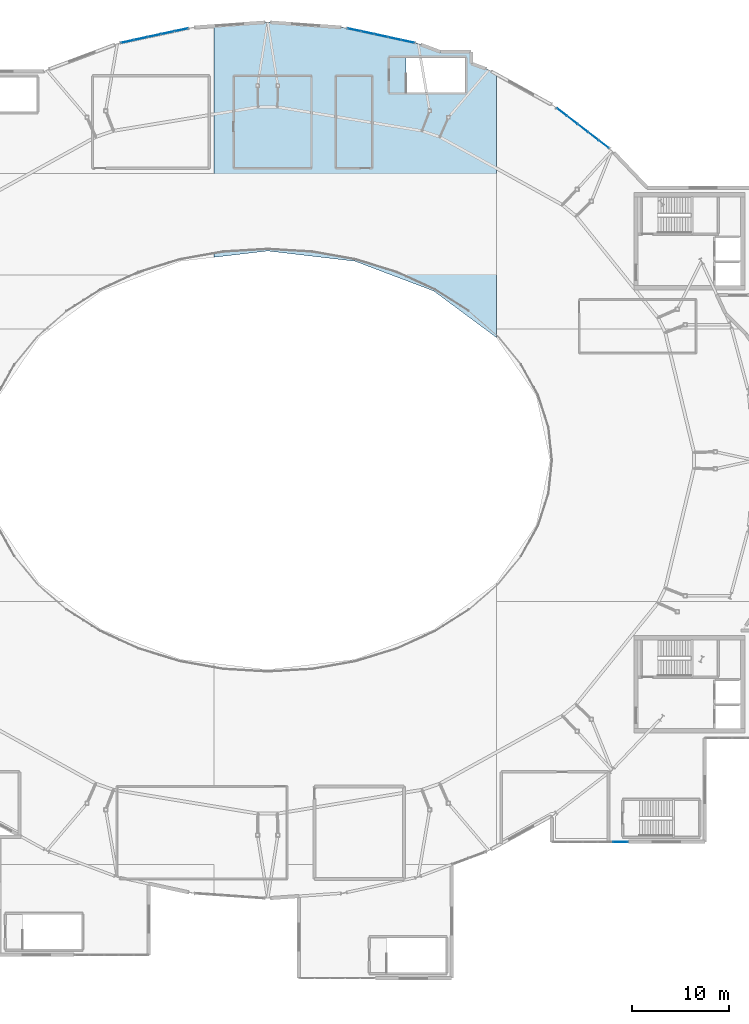
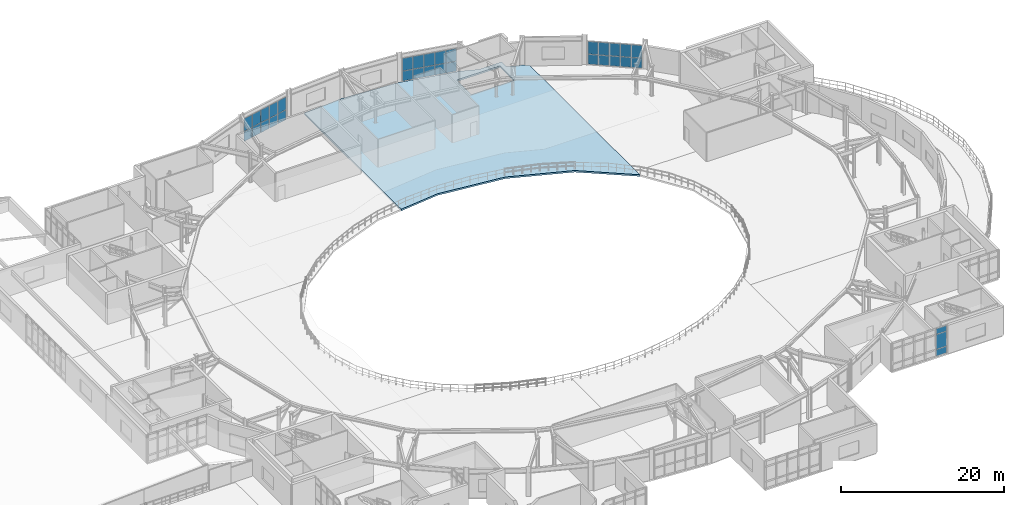
# One storey, part 34 of 48: 33 plates, 1 slab, 4 elements without a shape of their own.
"""IFC4 building model written with IfcOpenShell, lengths in metres."""

import ifcopenshell
import ifcopenshell.guid

model = None  # the IFC model being written
_history = None  # IfcOwnerHistory: only IFC2X3 demands one
_inside = {}  # id of a spatial element -> (the spatial element, [elements in it])
_under = {}  # id of a project, library or spatial element -> (it, [spatial elements below it])
_declared = {}  # id of a project -> (the project, [libraries it declares])
_typed = {}  # id of a type object -> (the type object, [elements of that type])
_made_of = {}  # id of a material, layer set ... -> (it, [elements and type objects made of it])


def new_model(schema):
    """Start an empty IFC model of exactly this schema.

    Asked for "IFC4X3", IfcOpenShell would pick the latest addendum, in which some entities
    have other attributes; the version numbers below select the first issue.
    IFC2X3 requires an IfcOwnerHistory on every rooted entity: one is made here for all.
    """
    global model, _history
    if schema == "IFC4X3":
        model = ifcopenshell.file(schema_version=(4, 3, 0, 0))
    else:
        model = ifcopenshell.file(schema=schema)
    _inside.clear()
    _under.clear()
    _declared.clear()
    _typed.clear()
    _made_of.clear()
    _history = None
    if model.schema == "IFC2X3":
        org = make("IfcOrganization", Name="unknown")
        user = make(
            "IfcPersonAndOrganization",
            ThePerson=make("IfcPerson", FamilyName="unknown"),
            TheOrganization=org,
        )
        app = make(
            "IfcApplication",
            ApplicationDeveloper=org,
            Version="unknown",
            ApplicationFullName="unknown",
            ApplicationIdentifier="unknown",
        )
        _history = make(
            "IfcOwnerHistory",
            OwningUser=user,
            OwningApplication=app,
            ChangeAction="ADDED",
            CreationDate=0,
        )
    return model


def make(cls, **values):
    """One entity of the class cls with the attributes given. An attribute that is None is left unset."""
    return model.create_entity(
        cls, **{name: value for name, value in values.items() if value is not None}
    )


def rooted(cls, **values):
    """An entity with a GlobalId (a new one), such as an element, a storey or a relation."""
    return make(cls, GlobalId=ifcopenshell.guid.new(), OwnerHistory=_history, **values)


def si_unit(unit_type, name, prefix=None):
    """IfcSIUnit, for example si_unit("LENGTHUNIT", "METRE", prefix="MILLI")."""
    return make("IfcSIUnit", UnitType=unit_type, Prefix=prefix, Name=name)


def assignment(units):
    """IfcUnitAssignment: the units of a project."""
    return None if units is None else make("IfcUnitAssignment", Units=units)


def point(xyz):
    """IfcCartesianPoint."""
    return None if xyz is None else make("IfcCartesianPoint", Coordinates=xyz)


def direction(xyz):
    """IfcDirection."""
    return None if xyz is None else make("IfcDirection", DirectionRatios=xyz)


def frame(location, z_axis=None, x_axis=None):
    """IfcAxis2Placement3D, a coordinate frame: its origin and axes. An axis left out is left unset."""
    return make(
        "IfcAxis2Placement3D",
        Location=point(location),
        Axis=direction(z_axis),
        RefDirection=direction(x_axis),
    )


def frame_2d(location, x_axis=None):
    """IfcAxis2Placement2D, a coordinate frame in the plane: its origin and x axis."""
    return make(
        "IfcAxis2Placement2D", Location=point(location), RefDirection=direction(x_axis)
    )


def origin():
    """The frame at (0, 0, 0) with its axes left unset."""
    return frame((0.0, 0.0, 0.0))


def origin_2d():
    """The frame at (0, 0) in the plane with its x axis left unset."""
    return frame_2d((0.0, 0.0))


def place(relative_to, where):
    """IfcLocalPlacement: puts the frame where relative to a parent placement (None: the world)."""
    return make(
        "IfcLocalPlacement", PlacementRelTo=relative_to, RelativePlacement=where
    )


def context(
    kind, dimensions, precision=None, world=None, true_north=None, identifier=None
):
    """IfcGeometricRepresentationContext, for example the 3D "Model" context."""
    return make(
        "IfcGeometricRepresentationContext",
        ContextIdentifier=identifier,
        ContextType=kind,
        CoordinateSpaceDimension=dimensions,
        Precision=precision,
        WorldCoordinateSystem=world,
        TrueNorth=true_north,
    )


def subcontext(parent, identifier, kind, view, scale=None):
    """IfcGeometricRepresentationSubContext, for example "Body" below "Model"."""
    return make(
        "IfcGeometricRepresentationSubContext",
        ContextIdentifier=identifier,
        ContextType=kind,
        ParentContext=parent,
        TargetScale=scale,
        TargetView=view,
    )


def project(units=None, contexts=None):
    """IfcProject with its units and contexts."""
    return rooted(
        "IfcProject",
        Name="project",
        RepresentationContexts=contexts,
        UnitsInContext=assignment(units),
    )


def spatial(cls, under=None, at=None, **own):
    """A site, building, storey or space (cls), placed at a placement, below another one or the project."""
    s = rooted(cls, ObjectPlacement=at, **own)
    if under is not None:
        _under.setdefault(under.id(), (under, []))[1].append(s)
    return s


def polyline(points):
    """IfcPolyline through the points."""
    return make("IfcPolyline", Points=[point(p) for p in points])


def profile(cls, at=None, kind="AREA", **sizes):
    """A parametric profile (cls). Its sizes go by their IFC names, for example OverallWidth=200.0."""
    return make(cls, ProfileType=kind, Position=at, **sizes)


def rectangle(**sizes):
    """IfcRectangleProfileDef."""
    return profile("IfcRectangleProfileDef", **sizes)


def outline(outer, holes=None, kind="AREA"):
    """IfcArbitraryClosedProfileDef: a profile drawn as a closed curve; with holes, ...WithVoids."""
    if holes is None:
        return make("IfcArbitraryClosedProfileDef", ProfileType=kind, OuterCurve=outer)
    return make(
        "IfcArbitraryProfileDefWithVoids",
        ProfileType=kind,
        OuterCurve=outer,
        InnerCurves=holes,
    )


def extrude(swept, where, along, depth):
    """IfcExtrudedAreaSolid: the profile swept, set in the frame where, extruded along a direction by depth."""
    return make(
        "IfcExtrudedAreaSolid",
        SweptArea=swept,
        Position=where,
        ExtrudedDirection=direction(along),
        Depth=depth,
    )


def shape(context_of_items, identifier, shape_type, items):
    """IfcShapeRepresentation: the items that make up one representation, for example the "Body"."""
    return make(
        "IfcShapeRepresentation",
        ContextOfItems=context_of_items,
        RepresentationIdentifier=identifier,
        RepresentationType=shape_type,
        Items=items,
    )


def material(Name=None, Category=None):
    """IfcMaterial."""
    return make("IfcMaterial", Name=Name, Category=Category)


def layer(
    of_material, thickness, ventilated=None, Name=None, Category=None, Priority=None
):
    """IfcMaterialLayer: one layer of a wall or slab, of a material (None: an air gap)."""
    return make(
        "IfcMaterialLayer",
        Material=of_material,
        LayerThickness=thickness,
        IsVentilated=ventilated,
        Name=Name,
        Category=Category,
        Priority=Priority,
    )


def layer_set(layers, Name=None):
    """IfcMaterialLayerSet."""
    return make("IfcMaterialLayerSet", MaterialLayers=layers, LayerSetName=Name)


def made_of(thing, what):
    """Note that an element or type object is made of a material, layer set ...; save() writes the relation."""
    if what is not None:
        _made_of.setdefault(what.id(), (what, []))[1].append(thing)
    return thing


def type_object(cls, material=None, **own):
    """A type object (cls), such as IfcWallType, which elements share."""
    return made_of(rooted(cls, **own), material)


def element(
    cls,
    number,
    at=None,
    inside=None,
    cuts=None,
    type_object=None,
    material=None,
    context=None,
    identifier="Body",
    shape_type=None,
    held_by="IfcProductDefinitionShape",
    body=None,
    shapes=None,
    **own,
):
    """One element of the class cls, such as IfcWall. Its Tag is "e" and its number.

    at: its placement. inside: the storey or other place that contains it. cuts: it is an
    opening in that element (IfcRelVoidsElement). A single representation is given by context,
    identifier, shape_type and body (its items); several are given by shapes. held_by: the class
    of the entity that holds the representations. save() writes the other relations.
    """
    e = rooted(cls, Tag="e%d" % number, ObjectPlacement=at, **own)
    if body is not None:
        shapes = [shape(context, identifier, shape_type, body)]
    if shapes is not None:
        e.Representation = make(held_by, Representations=shapes)
    if inside is not None:
        _inside.setdefault(inside.id(), (inside, []))[1].append(e)
    if cuts is not None:
        rooted(
            "IfcRelVoidsElement", RelatingBuildingElement=cuts, RelatedOpeningElement=e
        )
    if type_object is not None:
        _typed.setdefault(type_object.id(), (type_object, []))[1].append(e)
    return made_of(e, material)


def aggregate(whole, parts):
    """IfcRelAggregates: a whole, such as a stair, and the parts it consists of."""
    return rooted("IfcRelAggregates", RelatingObject=whole, RelatedObjects=parts)


def save(model, path):
    """Write the relations noted so far, then the file.

    IfcRelAggregates (storeys below a building ...), IfcRelContainedInSpatialStructure (elements
    in a storey), IfcRelDefinesByType, IfcRelAssociatesMaterial and IfcRelDeclares: one each for
    every whole, place, type object, material and project.
    """
    for whole, parts in _under.values():
        aggregate(whole, parts)
    for where, things in _inside.values():
        rooted(
            "IfcRelContainedInSpatialStructure",
            RelatedElements=things,
            RelatingStructure=where,
        )
    for kind, things in _typed.values():
        rooted("IfcRelDefinesByType", RelatedObjects=things, RelatingType=kind)
    for what, things in _made_of.values():
        rooted("IfcRelAssociatesMaterial", RelatedObjects=things, RelatingMaterial=what)
    for by, libraries in _declared.values():
        rooted("IfcRelDeclares", RelatingContext=by, RelatedDefinitions=libraries)
    model.write(path)


model = new_model("IFC4")

# Units and contexts
model_context = context("Model", 3, precision=1e-05, world=origin(), true_north=direction((0.0, 1.0)))
body_context = subcontext(model_context, "Body", "Model", "MODEL_VIEW")
ifc_project = project(units=[si_unit("LENGTHUNIT", "METRE"), si_unit("AREAUNIT", "SQUARE_METRE"), si_unit("VOLUMEUNIT", "CUBIC_METRE"), si_unit("PLANEANGLEUNIT", "RADIAN"), si_unit("MASSUNIT", "GRAM", prefix="KILO")], contexts=[model_context])

# Site, building, storey
site_placement = place(None, origin())
site = spatial("IfcSite", under=ifc_project, at=site_placement, CompositionType="ELEMENT")
building_placement = place(site_placement, origin())
building = spatial("IfcBuilding", under=site, at=building_placement, Name="Glasvene Arena", CompositionType="ELEMENT")
storey_placement = place(building_placement, frame((0.0, 0.0, 19.5)))
storey = spatial("IfcBuildingStorey", under=building, at=storey_placement, Name="L04", CompositionType="ELEMENT", Elevation=19.5)

# Curtain wall, plates
ifc_material_1 = material(Name="Low-emissivity laminated double glazing", Category="glass")
curtain_wall_type_1 = type_object("IfcCurtainWallType", Name="CW-FAC-L04-707x350", PredefinedType="USERDEFINED", material=ifc_material_1)
curtain_wall_1_placement = place(storey_placement, frame((76.910888671875, 115.87548828125, 0.0)))
curtain_wall_1 = element("IfcCurtainWall", 1, at=curtain_wall_1_placement, inside=storey, type_object=curtain_wall_type_1, Name="Unitised curtain wall CW-F-L04-150-804-1166-22", ObjectType="CURTAIN WALL", PredefinedType="USERDEFINED")
ifc_layer_1 = layer(ifc_material_1, 0.028076171875)
ifc_layer_set_1 = layer_set([ifc_layer_1], Name="Low-emissivity laminated double glazing")
plate_type = type_object("IfcPlateType", Name="CW-GLZ-28", PredefinedType="CURTAIN_PANEL", material=ifc_layer_set_1)
plate_1_placement = place(storey_placement, frame((77.61376953125, 116.027587890625, 0.10986328125), z_axis=(0.0, 0.0, 1.0), x_axis=(0.977438407668, 0.211220641072, 0.0)))
plate_1 = element("IfcPlate", 2, at=plate_1_placement, type_object=plate_type, Name="CW-049 panel 1.1", PredefinedType="CURTAIN_PANEL", context=body_context, shape_type="SweptSolid", body=[
    extrude(rectangle(XDim=1.338623046875, YDim=0.028076171875, at=origin_2d()), origin(), (0.0, 0.0, 1.0), 1.468017578125),
])
plate_2_placement = place(storey_placement, frame((77.61376953125, 116.027587890625, 1.6279296875), z_axis=(0.0, 0.0, 1.0), x_axis=(0.977438407668, 0.211220641072, 0.0)))
plate_2 = element("IfcPlate", 3, at=plate_2_placement, type_object=plate_type, Name="CW-049 panel 1.2", PredefinedType="CURTAIN_PANEL", context=body_context, shape_type="SweptSolid", body=[
    extrude(rectangle(XDim=1.338623046875, YDim=0.028076171875, at=origin_2d()), origin(), (0.0, 0.0, 1.0), 1.884033203125),
])
plate_3_placement = place(storey_placement, frame((78.9833984375, 116.323486328125, 0.10986328125), z_axis=(0.0, 0.0, 1.0), x_axis=(0.977438407668, 0.211220641072, 0.0)))
plate_3 = element("IfcPlate", 4, at=plate_3_placement, type_object=plate_type, Name="CW-049 panel 2.1", PredefinedType="CURTAIN_PANEL", context=body_context, shape_type="SweptSolid", body=[
    extrude(rectangle(XDim=1.363525390625, YDim=0.028076171875, at=origin_2d()), origin(), (0.0, 0.0, 1.0), 1.468017578125),
])
plate_4_placement = place(storey_placement, frame((78.9833984375, 116.323486328125, 1.6279296875), z_axis=(0.0, 0.0, 1.0), x_axis=(0.977438407668, 0.211220641072, 0.0)))
plate_4 = element("IfcPlate", 5, at=plate_4_placement, type_object=plate_type, Name="CW-049 panel 2.2", PredefinedType="CURTAIN_PANEL", context=body_context, shape_type="SweptSolid", body=[
    extrude(rectangle(XDim=1.363525390625, YDim=0.028076171875, at=origin_2d()), origin(), (0.0, 0.0, 1.0), 1.884033203125),
])
plate_5_placement = place(storey_placement, frame((80.364990234375, 116.6220703125, 0.10986328125), z_axis=(0.0, 0.0, 1.0), x_axis=(0.977438407668, 0.211220641072, 0.0)))
plate_5 = element("IfcPlate", 6, at=plate_5_placement, type_object=plate_type, Name="CW-049 panel 3.1", PredefinedType="CURTAIN_PANEL", context=body_context, shape_type="SweptSolid", body=[
    extrude(rectangle(XDim=1.363525390625, YDim=0.028076171875, at=origin_2d()), origin(), (0.0, 0.0, 1.0), 1.468017578125),
])
plate_6_placement = place(storey_placement, frame((80.364990234375, 116.6220703125, 1.6279296875), z_axis=(0.0, 0.0, 1.0), x_axis=(0.977438407668, 0.211220641072, 0.0)))
plate_6 = element("IfcPlate", 7, at=plate_6_placement, type_object=plate_type, Name="CW-049 panel 3.2", PredefinedType="CURTAIN_PANEL", context=body_context, shape_type="SweptSolid", body=[
    extrude(rectangle(XDim=1.363525390625, YDim=0.028076171875, at=origin_2d()), origin(), (0.0, 0.0, 1.0), 1.884033203125),
])
plate_7_placement = place(storey_placement, frame((81.746826171875, 116.920654296875, 0.10986328125), z_axis=(0.0, 0.0, 1.0), x_axis=(0.977438407668, 0.211220641072, 0.0)))
plate_7 = element("IfcPlate", 8, at=plate_7_placement, type_object=plate_type, Name="CW-049 panel 4.1", PredefinedType="CURTAIN_PANEL", context=body_context, shape_type="SweptSolid", body=[
    extrude(rectangle(XDim=1.363525390625, YDim=0.028076171875, at=origin_2d()), origin(), (0.0, 0.0, 1.0), 1.468017578125),
])
plate_8_placement = place(storey_placement, frame((81.746826171875, 116.920654296875, 1.6279296875), z_axis=(0.0, 0.0, 1.0), x_axis=(0.977438407668, 0.211220641072, 0.0)))
plate_8 = element("IfcPlate", 9, at=plate_8_placement, type_object=plate_type, Name="CW-049 panel 4.2", PredefinedType="CURTAIN_PANEL", context=body_context, shape_type="SweptSolid", body=[
    extrude(rectangle(XDim=1.363525390625, YDim=0.028076171875, at=origin_2d()), origin(), (0.0, 0.0, 1.0), 1.884033203125),
])
plate_9_placement = place(storey_placement, frame((83.1162109375, 117.216552734375, 0.10986328125), z_axis=(0.0, 0.0, 1.0), x_axis=(0.977438407668, 0.211220641072, 0.0)))
plate_9 = element("IfcPlate", 10, at=plate_9_placement, type_object=plate_type, Name="CW-049 panel 5.1", PredefinedType="CURTAIN_PANEL", context=body_context, shape_type="SweptSolid", body=[
    extrude(rectangle(XDim=1.338623046875, YDim=0.028076171875, at=origin_2d()), origin(), (0.0, 0.0, 1.0), 1.468017578125),
])
plate_10_placement = place(storey_placement, frame((83.1162109375, 117.216552734375, 1.6279296875), z_axis=(0.0, 0.0, 1.0), x_axis=(0.977438407668, 0.211220641072, 0.0)))
plate_10 = element("IfcPlate", 11, at=plate_10_placement, type_object=plate_type, Name="CW-049 panel 5.2", PredefinedType="CURTAIN_PANEL", context=body_context, shape_type="SweptSolid", body=[
    extrude(rectangle(XDim=1.338623046875, YDim=0.028076171875, at=origin_2d()), origin(), (0.0, 0.0, 1.0), 1.884033203125),
])
aggregate(curtain_wall_1, [plate_1, plate_2, plate_3, plate_4, plate_5, plate_6, plate_7, plate_8, plate_9, plate_10])

curtain_wall_2_placement = place(storey_placement, frame((100.1806640625, 117.368408203125, 0.0)))
curtain_wall_2 = element("IfcCurtainWall", 12, at=curtain_wall_2_placement, inside=storey, type_object=curtain_wall_type_1, Name="Unitised curtain wall CW-F-L04-150-1036-1166-25", ObjectType="CURTAIN WALL", PredefinedType="USERDEFINED")
plate_11_placement = place(storey_placement, frame((100.8837890625, 117.216552734375, 0.10986328125), z_axis=(0.0, 0.0, 1.0), x_axis=(0.977438407668, -0.211220641072, 0.0)))
plate_11 = element("IfcPlate", 13, at=plate_11_placement, type_object=plate_type, Name="CW-049 panel 1.1", PredefinedType="CURTAIN_PANEL", context=body_context, shape_type="SweptSolid", body=[
    extrude(rectangle(XDim=1.338623046875, YDim=0.028076171875, at=origin_2d()), origin(), (0.0, 0.0, 1.0), 1.468017578125),
])
plate_12_placement = place(storey_placement, frame((100.8837890625, 117.216552734375, 1.6279296875), z_axis=(0.0, 0.0, 1.0), x_axis=(0.977438407668, -0.211220641072, 0.0)))
plate_12 = element("IfcPlate", 14, at=plate_12_placement, type_object=plate_type, Name="CW-049 panel 1.2", PredefinedType="CURTAIN_PANEL", context=body_context, shape_type="SweptSolid", body=[
    extrude(rectangle(XDim=1.338623046875, YDim=0.028076171875, at=origin_2d()), origin(), (0.0, 0.0, 1.0), 1.884033203125),
])
plate_13_placement = place(storey_placement, frame((102.253173828125, 116.920654296875, 0.10986328125), z_axis=(0.0, 0.0, 1.0), x_axis=(0.977438407668, -0.211220641072, 0.0)))
plate_13 = element("IfcPlate", 15, at=plate_13_placement, type_object=plate_type, Name="CW-049 panel 2.1", PredefinedType="CURTAIN_PANEL", context=body_context, shape_type="SweptSolid", body=[
    extrude(rectangle(XDim=1.363525390625, YDim=0.028076171875, at=origin_2d()), origin(), (0.0, 0.0, 1.0), 1.468017578125),
])
plate_14_placement = place(storey_placement, frame((102.253173828125, 116.920654296875, 1.6279296875), z_axis=(0.0, 0.0, 1.0), x_axis=(0.977438407668, -0.211220641072, 0.0)))
plate_14 = element("IfcPlate", 16, at=plate_14_placement, type_object=plate_type, Name="CW-049 panel 2.2", PredefinedType="CURTAIN_PANEL", context=body_context, shape_type="SweptSolid", body=[
    extrude(rectangle(XDim=1.363525390625, YDim=0.028076171875, at=origin_2d()), origin(), (0.0, 0.0, 1.0), 1.884033203125),
])
plate_15_placement = place(storey_placement, frame((103.635009765625, 116.6220703125, 0.10986328125), z_axis=(0.0, 0.0, 1.0), x_axis=(0.977438407668, -0.211220641072, 0.0)))
plate_15 = element("IfcPlate", 17, at=plate_15_placement, type_object=plate_type, Name="CW-049 panel 3.1", PredefinedType="CURTAIN_PANEL", context=body_context, shape_type="SweptSolid", body=[
    extrude(rectangle(XDim=1.363525390625, YDim=0.028076171875, at=origin_2d()), origin(), (0.0, 0.0, 1.0), 1.468017578125),
])
plate_16_placement = place(storey_placement, frame((103.635009765625, 116.6220703125, 1.6279296875), z_axis=(0.0, 0.0, 1.0), x_axis=(0.977438407668, -0.211220641072, 0.0)))
plate_16 = element("IfcPlate", 18, at=plate_16_placement, type_object=plate_type, Name="CW-049 panel 3.2", PredefinedType="CURTAIN_PANEL", context=body_context, shape_type="SweptSolid", body=[
    extrude(rectangle(XDim=1.363525390625, YDim=0.028076171875, at=origin_2d()), origin(), (0.0, 0.0, 1.0), 1.884033203125),
])
plate_17_placement = place(storey_placement, frame((105.0166015625, 116.323486328125, 0.10986328125), z_axis=(0.0, 0.0, 1.0), x_axis=(0.977438407668, -0.211220641072, 0.0)))
plate_17 = element("IfcPlate", 19, at=plate_17_placement, type_object=plate_type, Name="CW-049 panel 4.1", PredefinedType="CURTAIN_PANEL", context=body_context, shape_type="SweptSolid", body=[
    extrude(rectangle(XDim=1.363525390625, YDim=0.028076171875, at=origin_2d()), origin(), (0.0, 0.0, 1.0), 1.468017578125),
])
plate_18_placement = place(storey_placement, frame((105.0166015625, 116.323486328125, 1.6279296875), z_axis=(0.0, 0.0, 1.0), x_axis=(0.977438407668, -0.211220641072, 0.0)))
plate_18 = element("IfcPlate", 20, at=plate_18_placement, type_object=plate_type, Name="CW-049 panel 4.2", PredefinedType="CURTAIN_PANEL", context=body_context, shape_type="SweptSolid", body=[
    extrude(rectangle(XDim=1.363525390625, YDim=0.028076171875, at=origin_2d()), origin(), (0.0, 0.0, 1.0), 1.884033203125),
])
plate_19_placement = place(storey_placement, frame((106.38623046875, 116.027587890625, 0.10986328125), z_axis=(0.0, 0.0, 1.0), x_axis=(0.977438407668, -0.211220641072, 0.0)))
plate_19 = element("IfcPlate", 21, at=plate_19_placement, type_object=plate_type, Name="CW-049 panel 5.1", PredefinedType="CURTAIN_PANEL", context=body_context, shape_type="SweptSolid", body=[
    extrude(rectangle(XDim=1.338623046875, YDim=0.028076171875, at=origin_2d()), origin(), (0.0, 0.0, 1.0), 1.468017578125),
])
plate_20_placement = place(storey_placement, frame((106.38623046875, 116.027587890625, 1.6279296875), z_axis=(0.0, 0.0, 1.0), x_axis=(0.977438407668, -0.211220641072, 0.0)))
plate_20 = element("IfcPlate", 22, at=plate_20_placement, type_object=plate_type, Name="CW-049 panel 5.2", PredefinedType="CURTAIN_PANEL", context=body_context, shape_type="SweptSolid", body=[
    extrude(rectangle(XDim=1.338623046875, YDim=0.028076171875, at=origin_2d()), origin(), (0.0, 0.0, 1.0), 1.884033203125),
])
aggregate(curtain_wall_2, [plate_11, plate_12, plate_13, plate_14, plate_15, plate_16, plate_17, plate_18, plate_19, plate_20])

curtain_wall_type_2 = type_object("IfcCurtainWallType", Name="CW-FAC-L04-679x350", PredefinedType="USERDEFINED", material=ifc_material_1)
curtain_wall_3_placement = place(storey_placement, frame((121.680419921875, 109.18212890625, 0.0)))
curtain_wall_3 = element("IfcCurtainWall", 23, at=curtain_wall_3_placement, inside=storey, type_object=curtain_wall_type_2, Name="Unitised curtain wall CW-F-L04-150-1244-1071-31", ObjectType="CURTAIN WALL", PredefinedType="USERDEFINED")
plate_21_placement = place(storey_placement, frame((122.228271484375, 108.760986328125, 0.10986328125), z_axis=(0.0, 0.0, 1.0), x_axis=(0.792839799008, -0.609430105187, 0.0)))
plate_21 = element("IfcPlate", 24, at=plate_21_placement, type_object=plate_type, Name="CW-050 panel 1.1", PredefinedType="CURTAIN_PANEL", context=body_context, shape_type="SweptSolid", body=[
    extrude(rectangle(XDim=1.281982421875, YDim=0.028076171875, at=origin_2d()), origin(), (0.0, 0.0, 1.0), 1.468017578125),
])
plate_22_placement = place(storey_placement, frame((122.228271484375, 108.760986328125, 1.6279296875), z_axis=(0.0, 0.0, 1.0), x_axis=(0.792839799008, -0.609430105187, 0.0)))
plate_22 = element("IfcPlate", 25, at=plate_22_placement, type_object=plate_type, Name="CW-050 panel 1.2", PredefinedType="CURTAIN_PANEL", context=body_context, shape_type="SweptSolid", body=[
    extrude(rectangle(XDim=1.281982421875, YDim=0.028076171875, at=origin_2d()), origin(), (0.0, 0.0, 1.0), 1.884033203125),
])
plate_23_placement = place(storey_placement, frame((123.294189453125, 107.941650390625, 0.10986328125), z_axis=(0.0, 0.0, 1.0), x_axis=(0.792839799008, -0.609430105187, 0.0)))
plate_23 = element("IfcPlate", 26, at=plate_23_placement, type_object=plate_type, Name="CW-050 panel 2.1", PredefinedType="CURTAIN_PANEL", context=body_context, shape_type="SweptSolid", body=[
    extrude(rectangle(XDim=1.30712890625, YDim=0.028076171875, at=origin_2d()), origin(), (0.0, 0.0, 1.0), 1.468017578125),
])
plate_24_placement = place(storey_placement, frame((123.294189453125, 107.941650390625, 1.6279296875), z_axis=(0.0, 0.0, 1.0), x_axis=(0.792839799008, -0.609430105187, 0.0)))
plate_24 = element("IfcPlate", 27, at=plate_24_placement, type_object=plate_type, Name="CW-050 panel 2.2", PredefinedType="CURTAIN_PANEL", context=body_context, shape_type="SweptSolid", body=[
    extrude(rectangle(XDim=1.30712890625, YDim=0.028076171875, at=origin_2d()), origin(), (0.0, 0.0, 1.0), 1.884033203125),
])
plate_25_placement = place(storey_placement, frame((124.3701171875, 107.114501953125, 0.10986328125), z_axis=(0.0, 0.0, 1.0), x_axis=(0.792839799008, -0.609430105187, 0.0)))
plate_25 = element("IfcPlate", 28, at=plate_25_placement, type_object=plate_type, Name="CW-050 panel 3.1", PredefinedType="CURTAIN_PANEL", context=body_context, shape_type="SweptSolid", body=[
    extrude(rectangle(XDim=1.30712890625, YDim=0.028076171875, at=origin_2d()), origin(), (0.0, 0.0, 1.0), 1.468017578125),
])
plate_26_placement = place(storey_placement, frame((124.3701171875, 107.114501953125, 1.6279296875), z_axis=(0.0, 0.0, 1.0), x_axis=(0.792839799008, -0.609430105187, 0.0)))
plate_26 = element("IfcPlate", 29, at=plate_26_placement, type_object=plate_type, Name="CW-050 panel 3.2", PredefinedType="CURTAIN_PANEL", context=body_context, shape_type="SweptSolid", body=[
    extrude(rectangle(XDim=1.30712890625, YDim=0.028076171875, at=origin_2d()), origin(), (0.0, 0.0, 1.0), 1.884033203125),
])
plate_27_placement = place(storey_placement, frame((125.446044921875, 106.287353515625, 0.10986328125), z_axis=(0.0, 0.0, 1.0), x_axis=(0.792839799008, -0.609430105187, 0.0)))
plate_27 = element("IfcPlate", 30, at=plate_27_placement, type_object=plate_type, Name="CW-050 panel 4.1", PredefinedType="CURTAIN_PANEL", context=body_context, shape_type="SweptSolid", body=[
    extrude(rectangle(XDim=1.30712890625, YDim=0.028076171875, at=origin_2d()), origin(), (0.0, 0.0, 1.0), 1.468017578125),
])
plate_28_placement = place(storey_placement, frame((125.446044921875, 106.287353515625, 1.6279296875), z_axis=(0.0, 0.0, 1.0), x_axis=(0.792839799008, -0.609430105187, 0.0)))
plate_28 = element("IfcPlate", 31, at=plate_28_placement, type_object=plate_type, Name="CW-050 panel 4.2", PredefinedType="CURTAIN_PANEL", context=body_context, shape_type="SweptSolid", body=[
    extrude(rectangle(XDim=1.30712890625, YDim=0.028076171875, at=origin_2d()), origin(), (0.0, 0.0, 1.0), 1.884033203125),
])
plate_29_placement = place(storey_placement, frame((126.51220703125, 105.468017578125, 0.10986328125), z_axis=(0.0, 0.0, 1.0), x_axis=(0.792839799008, -0.609430105187, 0.0)))
plate_29 = element("IfcPlate", 32, at=plate_29_placement, type_object=plate_type, Name="CW-050 panel 5.1", PredefinedType="CURTAIN_PANEL", context=body_context, shape_type="SweptSolid", body=[
    extrude(rectangle(XDim=1.281982421875, YDim=0.028076171875, at=origin_2d()), origin(), (0.0, 0.0, 1.0), 1.468017578125),
])
plate_30_placement = place(storey_placement, frame((126.51220703125, 105.468017578125, 1.6279296875), z_axis=(0.0, 0.0, 1.0), x_axis=(0.792839799008, -0.609430105187, 0.0)))
plate_30 = element("IfcPlate", 33, at=plate_30_placement, type_object=plate_type, Name="CW-050 panel 5.2", PredefinedType="CURTAIN_PANEL", context=body_context, shape_type="SweptSolid", body=[
    extrude(rectangle(XDim=1.281982421875, YDim=0.028076171875, at=origin_2d()), origin(), (0.0, 0.0, 1.0), 1.884033203125),
])
aggregate(curtain_wall_3, [plate_21, plate_22, plate_23, plate_24, plate_25, plate_26, plate_27, plate_28, plate_29, plate_30])

curtain_wall_type_3 = type_object("IfcCurtainWallType", Name="CW-FAC-L03-777x419", PredefinedType="USERDEFINED", material=ifc_material_1)
curtain_wall_4_placement = place(storey_placement, frame((129.010009765625, 33.800048828125, 0.0)))
curtain_wall_4 = element("IfcCurtainWall", 34, at=curtain_wall_4_placement, inside=storey, type_object=curtain_wall_type_3, Name="Unitised curtain wall CW-F-L04-180-1251-338-49", ObjectType="CURTAIN WALL", PredefinedType="USERDEFINED")
plate_31_placement = place(storey_placement, frame((128.220458984375, 33.800048828125, 0.10986328125), z_axis=(0.0, 0.0, 1.0), x_axis=(-1.0, 0.0, 0.0)))
plate_31 = element("IfcPlate", 35, at=plate_31_placement, type_object=plate_type, Name="CW-042 panel 1.1", PredefinedType="CURTAIN_PANEL", context=body_context, shape_type="SweptSolid", body=[
    extrude(rectangle(XDim=1.47900390625, YDim=0.028076171875, at=origin_2d()), origin(), (0.0, 0.0, 1.0), 0.965087890625),
])
plate_32_placement = place(storey_placement, frame((128.220458984375, 33.800048828125, 1.125), z_axis=(0.0, 0.0, 1.0), x_axis=(-1.0, 0.0, 0.0)))
plate_32 = element("IfcPlate", 36, at=plate_32_placement, type_object=plate_type, Name="CW-042 panel 1.2", PredefinedType="CURTAIN_PANEL", context=body_context, shape_type="SweptSolid", body=[
    extrude(rectangle(XDim=1.47900390625, YDim=0.028076171875, at=origin_2d()), origin(), (0.0, 0.0, 1.0), 2.199951171875),
])
plate_33_placement = place(storey_placement, frame((128.220458984375, 33.800048828125, 3.375), z_axis=(0.0, 0.0, 1.0), x_axis=(-1.0, 0.0, 0.0)))
plate_33 = element("IfcPlate", 37, at=plate_33_placement, type_object=plate_type, Name="CW-042 panel 1.3", PredefinedType="CURTAIN_PANEL", context=body_context, shape_type="SweptSolid", body=[
    extrude(rectangle(XDim=1.47900390625, YDim=0.028076171875, at=origin_2d()), origin(), (0.0, 0.0, 1.0), 0.824951171875),
])
aggregate(curtain_wall_4, [plate_31, plate_32, plate_33])

# Slab
ifc_material_2 = material(Name="Concrete C40/50", Category="concrete")
ifc_layer_2 = layer(ifc_material_2, 0.25)
ifc_layer_set_2 = layer_set([ifc_layer_2], Name="Concrete C40/50")
slab_type = type_object("IfcSlabType", Name="SL-UPPER-250", PredefinedType="FLOOR", material=ifc_layer_set_2)
slab_placement = place(storey_placement, frame((104.73095703125, 105.445556640625, -0.25)))
element("IfcSlab", 38, at=slab_placement, inside=storey, type_object=slab_type, Name="Structural floor slab L04 sector 4-4 (113)", PredefinedType="FLOOR", context=body_context, shape_type="SweptSolid", body=[
    extrude(outline(polyline([(4.31494140625, -15.0517578125), (-3.76953125, -11.997802734375), (-12.73095703125, -10.945556640625), (-18.23095703125, -11.59130859375), (-18.23095703125, 12.164794921875), (-12.73095703125, 12.554443359375), (-4.9091796875, 12.00048828125), (2.7197265625, 10.35205078125), (4.9931640625, 9.50439453125), (8.1689453125, 9.50439453125), (8.1689453125, 8.320556640625), (9.968505859375, 7.649658203125), (10.76904296875, 7.208251953125), (10.76904296875, -19.8642578125), (10.73046875, -19.80810546875), (4.31494140625, -15.0517578125)]), holes=[polyline([(7.569091796875, 5.3544921875), (7.569091796875, 8.904541015625), (1.470947265625, 8.904541015625), (1.470947265625, 5.3544921875), (7.569091796875, 5.3544921875)])]), origin(), (0.0, 0.0, 1.0), 0.25),
])

save(model, "model.ifc")
